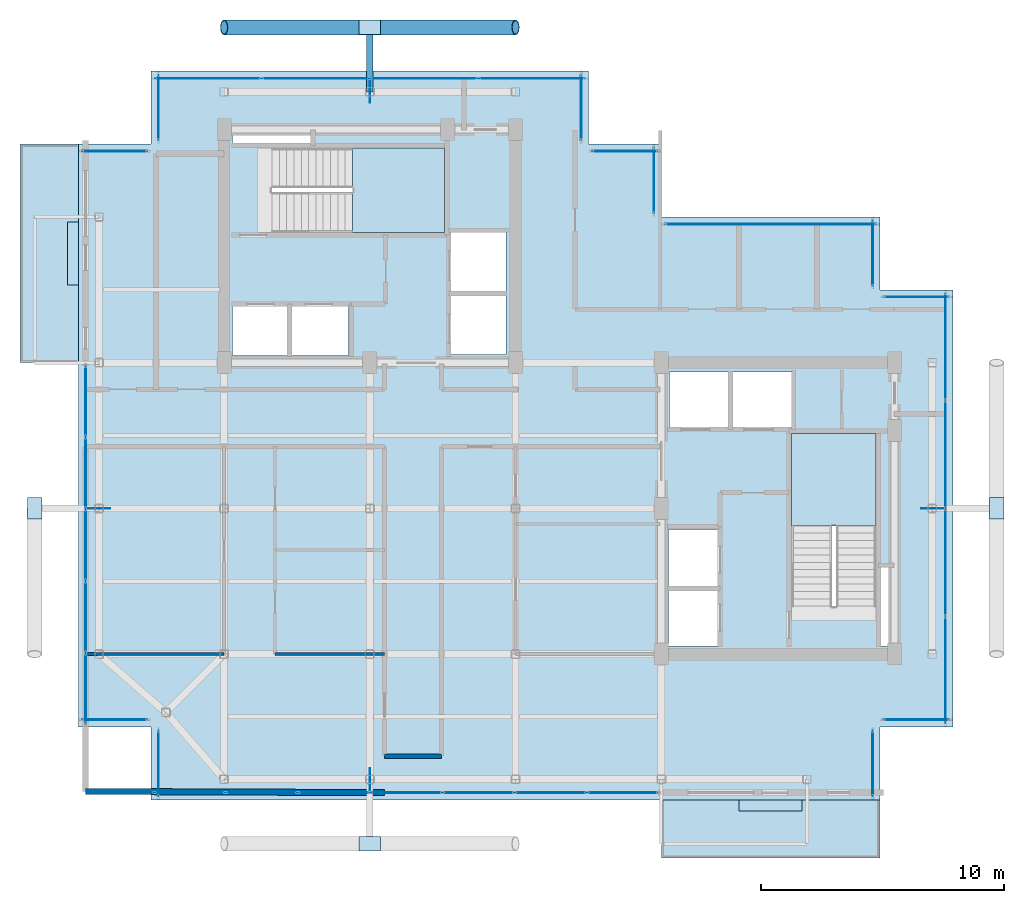
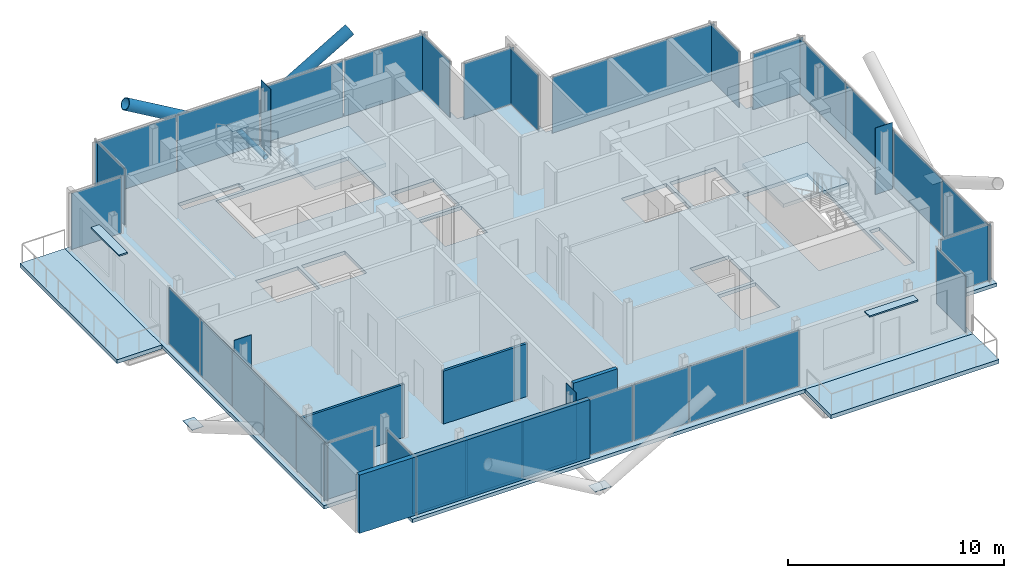
# One storey, part 13 of 18: 42 plates, 5 slabs, 4 walls, 3 members, 18 elements without a shape of their own.
"""IFC4 building model written with IfcOpenShell, lengths in metres."""

from ifc_helpers import new_model, si_unit, direction, frame, frame_2d, origin, origin_2d, place, context, subcontext, project, spatial, polyline, rectangle, hollow_circle, outline, extrude, material, layer, layer_set, material_profile, profile_set, type_object, element, aggregate, save


model = new_model("IFC4")

# Units and contexts
model_context = context("Model", 3, precision=1e-05, world=origin(), true_north=direction((0.0, 1.0)))
body_context = subcontext(model_context, "Body", "Model", "MODEL_VIEW")
ifc_project = project(units=[si_unit("LENGTHUNIT", "METRE"), si_unit("AREAUNIT", "SQUARE_METRE"), si_unit("VOLUMEUNIT", "CUBIC_METRE"), si_unit("PLANEANGLEUNIT", "RADIAN"), si_unit("MASSUNIT", "GRAM", prefix="KILO"), si_unit("THERMODYNAMICTEMPERATUREUNIT", "KELVIN"), si_unit("POWERUNIT", "WATT")], contexts=[model_context])

# Site, building, storey
site_placement = place(None, origin())
site = spatial("IfcSite", under=ifc_project, at=site_placement, CompositionType="ELEMENT")
building_placement = place(site_placement, origin())
building = spatial("IfcBuilding", under=site, at=building_placement, Name="Svarakhadi Broadcast Tower", CompositionType="ELEMENT")
storey_placement = place(building_placement, frame((0.0, 0.0, 246.699951171875)))
storey = spatial("IfcBuildingStorey", under=building, at=storey_placement, Name="L61", CompositionType="ELEMENT", Elevation=246.699951171875)

# Members
ifc_material_1 = material(Name="Steel S460ML (IS 2062 E450BR)", Category="steel")
ifc_material_profile_1 = material_profile(ifc_material_1, hollow_circle(Radius=0.304931640625, WallThickness=0.030029296875, at=origin_2d()), Name="CHS 610x30")
ifc_profile_set_1 = profile_set([ifc_material_profile_1], Name="Steel S460ML (IS 2062 E450BR)")
member_type_1 = type_object("IfcMemberType", Name="Exo_Brace_CHS610", PredefinedType="BRACE", material=ifc_profile_set_1)
for number, where, z_axis, x_axis, name in (
    (1, (12.0, 31.800048828125, -0.33642578125), (-0.863778900898, 0.0, 0.503871025524), (0.0, -1.0, 0.0), "L61 Exposed Bronze Exoskeleton Diagonal N06"),
    (2, (12.0, 31.800048828125, -0.33642578125), (0.863778900898, 0.0, 0.503871025524), (0.0, 1.0, 0.0), "L61 Exposed Bronze Exoskeleton Diagonal N07"),
):
    element("IfcMember", number, at=place(storey_placement, frame(where, z_axis=z_axis, x_axis=x_axis)), inside=storey, type_object=member_type_1, Name=name, PredefinedType="BRACE", context=body_context, shape_type="SweptSolid", body=[
        extrude(hollow_circle(Radius=0.304931640625, WallThickness=0.030029296875, at=origin_2d()), origin(), (0.0, 0.0, 1.0), 6.9462890625),
    ])
ifc_material_profile_2 = material_profile(ifc_material_1, hollow_circle(Radius=0.136474609375, WallThickness=0.012451171875, at=origin_2d()), Name="CHS 273x12.5")
ifc_profile_set_2 = profile_set([ifc_material_profile_2], Name="Steel S460ML (IS 2062 E450BR)")
member_type_2 = type_object("IfcMemberType", Name="Exo_Radial_Strut_Z3", PredefinedType="STRUT", material=ifc_profile_set_2)
member_placement = place(storey_placement, frame((12.0, 31.800048828125, -0.33642578125), z_axis=(0.0, -1.0, 0.0), x_axis=(1.0, 0.0, 0.0)))
element("IfcMember", 3, at=member_placement, inside=storey, type_object=member_type_2, Name="L61 Exoskeleton Radial Tie Strut N04", PredefinedType="STRUT", context=body_context, shape_type="SweptSolid", body=[
    extrude(hollow_circle(Radius=0.136474609375, WallThickness=0.012451171875, at=origin_2d()), origin(), (0.0, 0.0, 1.0), 2.650146484375),
])

# Curtain wall, plate
ifc_material_2 = material(Name="Anodised Bronze Aluminium AA 6063-T6", Category="aluminium")
ifc_layer_1 = layer(ifc_material_2, 0.179931640625)
ifc_layer_set_1 = layer_set([ifc_layer_1], Name="Anodised Bronze Aluminium AA 6063-T6")
curtain_wall_type = type_object("IfcCurtainWallType", Name="CW_Sys_05", PredefinedType="NOTDEFINED", material=ifc_layer_set_1)
curtain_wall_1_placement = place(storey_placement, origin())
curtain_wall_1 = element("IfcCurtainWall", 4, at=curtain_wall_1_placement, inside=storey, type_object=curtain_wall_type, Name="L61 Unitised Facade Curtain Wall 01", PredefinedType="NOTDEFINED")
ifc_material_3 = material(Name="Double Low-E Laminated Acoustic Glass IGU 36 mm", Category="glass")
ifc_layer_2 = layer(ifc_material_3, 0.033935546875)
ifc_layer_set_2 = layer_set([ifc_layer_2], Name="Double Low-E Laminated Acoustic Glass IGU 36 mm")
plate_type_1 = type_object("IfcPlateType", Name="CW_Sys_05_Pnl", PredefinedType="CURTAIN_PANEL", material=ifc_layer_set_2)
plate_1_placement = place(storey_placement, frame((1.5, 3.300048828125, 0.065185546875), z_axis=(0.0, 0.0, 1.0), x_axis=(-1.0, 0.0, 0.0)))
plate_1 = element("IfcPlate", 5, at=plate_1_placement, type_object=plate_type_1, Name="CW-05 panel 1.1", PredefinedType="CURTAIN_PANEL", context=body_context, shape_type="SweptSolid", body=[
    extrude(rectangle(XDim=2.679931640625, YDim=0.033935546875, at=origin_2d()), origin(), (0.0, 0.0, 1.0), 3.169921875),
])
aggregate(curtain_wall_1, [plate_1])

# Curtain wall, plates
curtain_wall_2_placement = place(storey_placement, origin())
curtain_wall_2 = element("IfcCurtainWall", 6, at=curtain_wall_2_placement, inside=storey, type_object=curtain_wall_type, Name="L61 West Curtain Wall 02", PredefinedType="NOTDEFINED")
plate_2_placement = place(storey_placement, frame((0.300048828125, 4.589599609375, 0.065185546875), z_axis=(0.0, 0.0, 1.0), x_axis=(0.0, 1.0, 0.0)))
plate_2 = element("IfcPlate", 7, at=plate_2_placement, type_object=plate_type_1, Name="CW-05 panel 1.1", PredefinedType="CURTAIN_PANEL", context=body_context, shape_type="SweptSolid", body=[
    extrude(rectangle(XDim=2.85888671875, YDim=0.033935546875, at=origin_2d()), origin(), (0.0, 0.0, 1.0), 3.169921875),
])
plate_3_placement = place(storey_placement, frame((0.300048828125, 7.535888671875, 0.065185546875), z_axis=(0.0, 0.0, 1.0), x_axis=(0.0, 1.0, 0.0)))
plate_3 = element("IfcPlate", 8, at=plate_3_placement, type_object=plate_type_1, Name="CW-05 panel 2.1", PredefinedType="CURTAIN_PANEL", context=body_context, shape_type="SweptSolid", body=[
    extrude(rectangle(XDim=2.89404296875, YDim=0.033935546875, at=origin_2d()), origin(), (0.0, 0.0, 1.0), 3.169921875),
])
plate_4_placement = place(storey_placement, frame((0.300048828125, 10.5, 0.065185546875), z_axis=(0.0, 0.0, 1.0), x_axis=(0.0, 1.0, 0.0)))
plate_4 = element("IfcPlate", 9, at=plate_4_placement, type_object=plate_type_1, Name="CW-05 panel 3.1", PredefinedType="CURTAIN_PANEL", context=body_context, shape_type="SweptSolid", body=[
    extrude(rectangle(XDim=2.89404296875, YDim=0.033935546875, at=origin_2d()), origin(), (0.0, 0.0, 1.0), 3.169921875),
])
plate_5_placement = place(storey_placement, frame((0.300048828125, 13.464111328125, 0.065185546875), z_axis=(0.0, 0.0, 1.0), x_axis=(0.0, 1.0, 0.0)))
plate_5 = element("IfcPlate", 10, at=plate_5_placement, type_object=plate_type_1, Name="CW-05 panel 4.1", PredefinedType="CURTAIN_PANEL", context=body_context, shape_type="SweptSolid", body=[
    extrude(rectangle(XDim=2.89404296875, YDim=0.033935546875, at=origin_2d()), origin(), (0.0, 0.0, 1.0), 3.169921875),
])
plate_6_placement = place(storey_placement, frame((0.300048828125, 16.410400390625, 0.065185546875), z_axis=(0.0, 0.0, 1.0), x_axis=(0.0, 1.0, 0.0)))
plate_6 = element("IfcPlate", 11, at=plate_6_placement, type_object=plate_type_1, Name="CW-05 panel 5.1", PredefinedType="CURTAIN_PANEL", context=body_context, shape_type="SweptSolid", body=[
    extrude(rectangle(XDim=2.85888671875, YDim=0.033935546875, at=origin_2d()), origin(), (0.0, 0.0, 1.0), 3.169921875),
])
aggregate(curtain_wall_2, [plate_2, plate_3, plate_4, plate_5, plate_6])

# Curtain wall, plate
curtain_wall_3_placement = place(storey_placement, origin())
curtain_wall_3 = element("IfcCurtainWall", 12, at=curtain_wall_3_placement, inside=storey, type_object=curtain_wall_type, Name="L61 Unitised Facade Curtain Wall 03", PredefinedType="NOTDEFINED")
plate_7_placement = place(storey_placement, frame((1.5, 26.699951171875, 0.065185546875), z_axis=(0.0, 0.0, 1.0), x_axis=(1.0, 0.0, 0.0)))
plate_7 = element("IfcPlate", 13, at=plate_7_placement, type_object=plate_type_1, Name="CW-05 panel 1.1", PredefinedType="CURTAIN_PANEL", context=body_context, shape_type="SweptSolid", body=[
    extrude(rectangle(XDim=2.679931640625, YDim=0.033935546875, at=origin_2d()), origin(), (0.0, 0.0, 1.0), 3.169921875),
])
aggregate(curtain_wall_3, [plate_7])

curtain_wall_4_placement = place(storey_placement, origin())
curtain_wall_4 = element("IfcCurtainWall", 14, at=curtain_wall_4_placement, inside=storey, type_object=curtain_wall_type, Name="L61 Unitised Facade Curtain Wall 04", PredefinedType="NOTDEFINED")
plate_8_placement = place(storey_placement, frame((3.300048828125, 28.5, 0.065185546875), z_axis=(0.0, 0.0, 1.0), x_axis=(0.0, 1.0, 0.0)))
plate_8 = element("IfcPlate", 15, at=plate_8_placement, type_object=plate_type_1, Name="CW-05 panel 1.1", PredefinedType="CURTAIN_PANEL", context=body_context, shape_type="SweptSolid", body=[
    extrude(rectangle(XDim=2.679931640625, YDim=0.033935546875, at=origin_2d()), origin(), (0.0, 0.0, 1.0), 3.169921875),
])
aggregate(curtain_wall_4, [plate_8])

# Curtain wall, plates
curtain_wall_5_placement = place(storey_placement, origin())
curtain_wall_5 = element("IfcCurtainWall", 16, at=curtain_wall_5_placement, inside=storey, type_object=curtain_wall_type, Name="L61 Unitised Facade Curtain Wall 05", PredefinedType="NOTDEFINED")
plate_9_placement = place(storey_placement, frame((5.3349609375, 29.699951171875, 0.065185546875), z_axis=(0.0, 0.0, 1.0), x_axis=(1.0, 0.0, 0.0)))
plate_9 = element("IfcPlate", 17, at=plate_9_placement, type_object=plate_type_1, Name="CW-05 panel 1.1", PredefinedType="CURTAIN_PANEL", context=body_context, shape_type="SweptSolid", body=[
    extrude(rectangle(XDim=4.35009765625, YDim=0.033935546875, at=origin_2d()), origin(), (0.0, 0.0, 1.0), 3.169921875),
])
plate_10_placement = place(storey_placement, frame((9.7724609375, 29.699951171875, 0.065185546875), z_axis=(0.0, 0.0, 1.0), x_axis=(1.0, 0.0, 0.0)))
plate_10 = element("IfcPlate", 18, at=plate_10_placement, type_object=plate_type_1, Name="CW-05 panel 2.1", PredefinedType="CURTAIN_PANEL", context=body_context, shape_type="SweptSolid", body=[
    extrude(rectangle(XDim=4.385009765625, YDim=0.033935546875, at=origin_2d()), origin(), (0.0, 0.0, 1.0), 3.169921875),
])
plate_11_placement = place(storey_placement, frame((14.2275390625, 29.699951171875, 0.065185546875), z_axis=(0.0, 0.0, 1.0), x_axis=(1.0, 0.0, 0.0)))
plate_11 = element("IfcPlate", 19, at=plate_11_placement, type_object=plate_type_1, Name="CW-05 panel 3.1", PredefinedType="CURTAIN_PANEL", context=body_context, shape_type="SweptSolid", body=[
    extrude(rectangle(XDim=4.385009765625, YDim=0.033935546875, at=origin_2d()), origin(), (0.0, 0.0, 1.0), 3.169921875),
])
plate_12_placement = place(storey_placement, frame((18.6650390625, 29.699951171875, 0.065185546875), z_axis=(0.0, 0.0, 1.0), x_axis=(1.0, 0.0, 0.0)))
plate_12 = element("IfcPlate", 20, at=plate_12_placement, type_object=plate_type_1, Name="CW-05 panel 4.1", PredefinedType="CURTAIN_PANEL", context=body_context, shape_type="SweptSolid", body=[
    extrude(rectangle(XDim=4.35009765625, YDim=0.033935546875, at=origin_2d()), origin(), (0.0, 0.0, 1.0), 3.169921875),
])
aggregate(curtain_wall_5, [plate_9, plate_10, plate_11, plate_12])

# Curtain wall, plate
curtain_wall_6_placement = place(storey_placement, origin())
curtain_wall_6 = element("IfcCurtainWall", 21, at=curtain_wall_6_placement, inside=storey, type_object=curtain_wall_type, Name="L61 Unitised Facade Curtain Wall 06", PredefinedType="NOTDEFINED")
plate_13_placement = place(storey_placement, frame((20.699951171875, 28.5, 0.065185546875), z_axis=(0.0, 0.0, 1.0), x_axis=(0.0, -1.0, 0.0)))
plate_13 = element("IfcPlate", 22, at=plate_13_placement, type_object=plate_type_1, Name="CW-05 panel 1.1", PredefinedType="CURTAIN_PANEL", context=body_context, shape_type="SweptSolid", body=[
    extrude(rectangle(XDim=2.679931640625, YDim=0.033935546875, at=origin_2d()), origin(), (0.0, 0.0, 1.0), 3.169921875),
])
aggregate(curtain_wall_6, [plate_13])

curtain_wall_7_placement = place(storey_placement, origin())
curtain_wall_7 = element("IfcCurtainWall", 23, at=curtain_wall_7_placement, inside=storey, type_object=curtain_wall_type, Name="L61 Unitised Facade Curtain Wall 07", PredefinedType="NOTDEFINED")
plate_14_placement = place(storey_placement, frame((22.5, 26.699951171875, 0.065185546875), z_axis=(0.0, 0.0, 1.0), x_axis=(1.0, 0.0, 0.0)))
plate_14 = element("IfcPlate", 24, at=plate_14_placement, type_object=plate_type_1, Name="CW-05 panel 1.1", PredefinedType="CURTAIN_PANEL", context=body_context, shape_type="SweptSolid", body=[
    extrude(rectangle(XDim=2.679931640625, YDim=0.033935546875, at=origin_2d()), origin(), (0.0, 0.0, 1.0), 3.169921875),
])
aggregate(curtain_wall_7, [plate_14])

curtain_wall_8_placement = place(storey_placement, origin())
curtain_wall_8 = element("IfcCurtainWall", 25, at=curtain_wall_8_placement, inside=storey, type_object=curtain_wall_type, Name="L61 Unitised Facade Curtain Wall 08", PredefinedType="NOTDEFINED")
plate_15_placement = place(storey_placement, frame((23.699951171875, 25.5, 0.065185546875), z_axis=(0.0, 0.0, 1.0), x_axis=(0.0, -1.0, 0.0)))
plate_15 = element("IfcPlate", 26, at=plate_15_placement, type_object=plate_type_1, Name="CW-05 panel 1.1", PredefinedType="CURTAIN_PANEL", context=body_context, shape_type="SweptSolid", body=[
    extrude(rectangle(XDim=2.679931640625, YDim=0.033935546875, at=origin_2d()), origin(), (0.0, 0.0, 1.0), 3.169921875),
])
aggregate(curtain_wall_8, [plate_15])

curtain_wall_9_placement = place(storey_placement, origin())
curtain_wall_9 = element("IfcCurtainWall", 27, at=curtain_wall_9_placement, inside=storey, type_object=curtain_wall_type, Name="L61 Unitised Facade Curtain Wall 09", PredefinedType="NOTDEFINED")
plate_16_placement = place(storey_placement, frame((28.5, 23.699951171875, 0.065185546875), z_axis=(0.0, 0.0, 1.0), x_axis=(1.0, 0.0, 0.0)))
plate_16 = element("IfcPlate", 28, at=plate_16_placement, type_object=plate_type_1, Name="CW-05 panel 1.1", PredefinedType="CURTAIN_PANEL", context=body_context, shape_type="SweptSolid", body=[
    extrude(rectangle(XDim=8.679931640625, YDim=0.033935546875, at=origin_2d()), origin(), (0.0, 0.0, 1.0), 3.169921875),
])
aggregate(curtain_wall_9, [plate_16])

curtain_wall_10_placement = place(storey_placement, origin())
curtain_wall_10 = element("IfcCurtainWall", 29, at=curtain_wall_10_placement, inside=storey, type_object=curtain_wall_type, Name="L61 Unitised Facade Curtain Wall 10", PredefinedType="NOTDEFINED")
plate_17_placement = place(storey_placement, frame((32.699951171875, 22.5, 0.065185546875), z_axis=(0.0, 0.0, 1.0), x_axis=(0.0, -1.0, 0.0)))
plate_17 = element("IfcPlate", 30, at=plate_17_placement, type_object=plate_type_1, Name="CW-05 panel 1.1", PredefinedType="CURTAIN_PANEL", context=body_context, shape_type="SweptSolid", body=[
    extrude(rectangle(XDim=2.679931640625, YDim=0.033935546875, at=origin_2d()), origin(), (0.0, 0.0, 1.0), 3.169921875),
])
aggregate(curtain_wall_10, [plate_17])

curtain_wall_11_placement = place(storey_placement, origin())
curtain_wall_11 = element("IfcCurtainWall", 31, at=curtain_wall_11_placement, inside=storey, type_object=curtain_wall_type, Name="L61 Unitised Facade Curtain Wall 11", PredefinedType="NOTDEFINED")
plate_18_placement = place(storey_placement, frame((34.5, 20.699951171875, 0.065185546875), z_axis=(0.0, 0.0, 1.0), x_axis=(1.0, 0.0, 0.0)))
plate_18 = element("IfcPlate", 32, at=plate_18_placement, type_object=plate_type_1, Name="CW-05 panel 1.1", PredefinedType="CURTAIN_PANEL", context=body_context, shape_type="SweptSolid", body=[
    extrude(rectangle(XDim=2.679931640625, YDim=0.033935546875, at=origin_2d()), origin(), (0.0, 0.0, 1.0), 3.169921875),
])
aggregate(curtain_wall_11, [plate_18])

# Curtain wall, plates
curtain_wall_12_placement = place(storey_placement, origin())
curtain_wall_12 = element("IfcCurtainWall", 33, at=curtain_wall_12_placement, inside=storey, type_object=curtain_wall_type, Name="L61 Unitised Facade Curtain Wall 12", PredefinedType="NOTDEFINED")
plate_19_placement = place(storey_placement, frame((35.699951171875, 18.6650390625, 0.065185546875), z_axis=(0.0, 0.0, 1.0), x_axis=(0.0, -1.0, 0.0)))
plate_19 = element("IfcPlate", 34, at=plate_19_placement, type_object=plate_type_1, Name="CW-05 panel 1.1", PredefinedType="CURTAIN_PANEL", context=body_context, shape_type="SweptSolid", body=[
    extrude(rectangle(XDim=4.35009765625, YDim=0.033935546875, at=origin_2d()), origin(), (0.0, 0.0, 1.0), 3.169921875),
])
plate_20_placement = place(storey_placement, frame((35.699951171875, 14.2275390625, 0.065185546875), z_axis=(0.0, 0.0, 1.0), x_axis=(0.0, -1.0, 0.0)))
plate_20 = element("IfcPlate", 35, at=plate_20_placement, type_object=plate_type_1, Name="CW-05 panel 2.1", PredefinedType="CURTAIN_PANEL", context=body_context, shape_type="SweptSolid", body=[
    extrude(rectangle(XDim=4.385009765625, YDim=0.033935546875, at=origin_2d()), origin(), (0.0, 0.0, 1.0), 3.169921875),
])
plate_21_placement = place(storey_placement, frame((35.699951171875, 9.7724609375, 0.065185546875), z_axis=(0.0, 0.0, 1.0), x_axis=(0.0, -1.0, 0.0)))
plate_21 = element("IfcPlate", 36, at=plate_21_placement, type_object=plate_type_1, Name="CW-05 panel 3.1", PredefinedType="CURTAIN_PANEL", context=body_context, shape_type="SweptSolid", body=[
    extrude(rectangle(XDim=4.385009765625, YDim=0.033935546875, at=origin_2d()), origin(), (0.0, 0.0, 1.0), 3.169921875),
])
plate_22_placement = place(storey_placement, frame((35.699951171875, 5.3349609375, 0.065185546875), z_axis=(0.0, 0.0, 1.0), x_axis=(0.0, -1.0, 0.0)))
plate_22 = element("IfcPlate", 37, at=plate_22_placement, type_object=plate_type_1, Name="CW-05 panel 4.1", PredefinedType="CURTAIN_PANEL", context=body_context, shape_type="SweptSolid", body=[
    extrude(rectangle(XDim=4.35009765625, YDim=0.033935546875, at=origin_2d()), origin(), (0.0, 0.0, 1.0), 3.169921875),
])
aggregate(curtain_wall_12, [plate_19, plate_20, plate_21, plate_22])

# Curtain wall, plate
curtain_wall_13_placement = place(storey_placement, origin())
curtain_wall_13 = element("IfcCurtainWall", 38, at=curtain_wall_13_placement, inside=storey, type_object=curtain_wall_type, Name="L61 Unitised Facade Curtain Wall 13", PredefinedType="NOTDEFINED")
plate_23_placement = place(storey_placement, frame((34.5, 3.300048828125, 0.065185546875), z_axis=(0.0, 0.0, 1.0), x_axis=(-1.0, 0.0, 0.0)))
plate_23 = element("IfcPlate", 39, at=plate_23_placement, type_object=plate_type_1, Name="CW-05 panel 1.1", PredefinedType="CURTAIN_PANEL", context=body_context, shape_type="SweptSolid", body=[
    extrude(rectangle(XDim=2.679931640625, YDim=0.033935546875, at=origin_2d()), origin(), (0.0, 0.0, 1.0), 3.169921875),
])
aggregate(curtain_wall_13, [plate_23])

curtain_wall_14_placement = place(storey_placement, origin())
curtain_wall_14 = element("IfcCurtainWall", 40, at=curtain_wall_14_placement, inside=storey, type_object=curtain_wall_type, Name="L61 Unitised Facade Curtain Wall 14", PredefinedType="NOTDEFINED")
plate_24_placement = place(storey_placement, frame((32.699951171875, 1.5, 0.065185546875), z_axis=(0.0, 0.0, 1.0), x_axis=(0.0, -1.0, 0.0)))
plate_24 = element("IfcPlate", 41, at=plate_24_placement, type_object=plate_type_1, Name="CW-05 panel 1.1", PredefinedType="CURTAIN_PANEL", context=body_context, shape_type="SweptSolid", body=[
    extrude(rectangle(XDim=2.679931640625, YDim=0.033935546875, at=origin_2d()), origin(), (0.0, 0.0, 1.0), 3.169921875),
])
aggregate(curtain_wall_14, [plate_24])

# Curtain wall, plates
curtain_wall_15_placement = place(storey_placement, origin())
curtain_wall_15 = element("IfcCurtainWall", 42, at=curtain_wall_15_placement, inside=storey, type_object=curtain_wall_type, Name="L61 South Curtain Wall 15", PredefinedType="NOTDEFINED")
plate_25_placement = place(storey_placement, frame((22.4052734375, 0.300048828125, 0.065185546875), z_axis=(0.0, 0.0, 1.0), x_axis=(-1.0, 0.0, 0.0)))
plate_25 = element("IfcPlate", 43, at=plate_25_placement, type_object=plate_type_1, Name="CW-05 panel 1.1", PredefinedType="CURTAIN_PANEL", context=body_context, shape_type="SweptSolid", body=[
    extrude(rectangle(XDim=2.869384765625, YDim=0.033935546875, at=origin_2d()), origin(), (0.0, 0.0, 1.0), 3.169921875),
])
plate_26_placement = place(storey_placement, frame((19.448486328125, 0.300048828125, 0.065185546875), z_axis=(0.0, 0.0, 1.0), x_axis=(-1.0, 0.0, 0.0)))
plate_26 = element("IfcPlate", 44, at=plate_26_placement, type_object=plate_type_1, Name="CW-05 panel 2.1", PredefinedType="CURTAIN_PANEL", context=body_context, shape_type="SweptSolid", body=[
    extrude(rectangle(XDim=2.904296875, YDim=0.033935546875, at=origin_2d()), origin(), (0.0, 0.0, 1.0), 3.169921875),
])
plate_27_placement = place(storey_placement, frame((16.474365234375, 0.300048828125, 0.065185546875), z_axis=(0.0, 0.0, 1.0), x_axis=(-1.0, 0.0, 0.0)))
plate_27 = element("IfcPlate", 45, at=plate_27_placement, type_object=plate_type_1, Name="CW-05 panel 3.1", PredefinedType="CURTAIN_PANEL", context=body_context, shape_type="SweptSolid", body=[
    extrude(rectangle(XDim=2.904296875, YDim=0.033935546875, at=origin_2d()), origin(), (0.0, 0.0, 1.0), 3.169921875),
])
plate_28_placement = place(storey_placement, frame((13.5, 0.300048828125, 0.065185546875), z_axis=(0.0, 0.0, 1.0), x_axis=(-1.0, 0.0, 0.0)))
plate_28 = element("IfcPlate", 46, at=plate_28_placement, type_object=plate_type_1, Name="CW-05 panel 4.1", PredefinedType="CURTAIN_PANEL", context=body_context, shape_type="SweptSolid", body=[
    extrude(rectangle(XDim=2.904296875, YDim=0.033935546875, at=origin_2d()), origin(), (0.0, 0.0, 1.0), 3.169921875),
])
plate_29_placement = place(storey_placement, frame((10.525634765625, 0.300048828125, 0.065185546875), z_axis=(0.0, 0.0, 1.0), x_axis=(-1.0, 0.0, 0.0)))
plate_29 = element("IfcPlate", 47, at=plate_29_placement, type_object=plate_type_1, Name="CW-05 panel 5.1", PredefinedType="CURTAIN_PANEL", context=body_context, shape_type="SweptSolid", body=[
    extrude(rectangle(XDim=2.904296875, YDim=0.033935546875, at=origin_2d()), origin(), (0.0, 0.0, 1.0), 3.169921875),
])
plate_30_placement = place(storey_placement, frame((7.551513671875, 0.300048828125, 0.065185546875), z_axis=(0.0, 0.0, 1.0), x_axis=(-1.0, 0.0, 0.0)))
plate_30 = element("IfcPlate", 48, at=plate_30_placement, type_object=plate_type_1, Name="CW-05 panel 6.1", PredefinedType="CURTAIN_PANEL", context=body_context, shape_type="SweptSolid", body=[
    extrude(rectangle(XDim=2.904296875, YDim=0.033935546875, at=origin_2d()), origin(), (0.0, 0.0, 1.0), 3.169921875),
])
plate_31_placement = place(storey_placement, frame((4.5947265625, 0.300048828125, 0.065185546875), z_axis=(0.0, 0.0, 1.0), x_axis=(-1.0, 0.0, 0.0)))
plate_31 = element("IfcPlate", 49, at=plate_31_placement, type_object=plate_type_1, Name="CW-05 panel 7.1", PredefinedType="CURTAIN_PANEL", context=body_context, shape_type="SweptSolid", body=[
    extrude(rectangle(XDim=2.869384765625, YDim=0.033935546875, at=origin_2d()), origin(), (0.0, 0.0, 1.0), 3.169921875),
])
aggregate(curtain_wall_15, [plate_25, plate_26, plate_27, plate_28, plate_29, plate_30, plate_31])

# Curtain wall, plate
curtain_wall_16_placement = place(storey_placement, origin())
curtain_wall_16 = element("IfcCurtainWall", 50, at=curtain_wall_16_placement, inside=storey, type_object=curtain_wall_type, Name="L61 Unitised Facade Curtain Wall 16", PredefinedType="NOTDEFINED")
plate_32_placement = place(storey_placement, frame((3.300048828125, 1.5, 0.065185546875), z_axis=(0.0, 0.0, 1.0), x_axis=(0.0, 1.0, 0.0)))
plate_32 = element("IfcPlate", 51, at=plate_32_placement, type_object=plate_type_1, Name="CW-05 panel 1.1", PredefinedType="CURTAIN_PANEL", context=body_context, shape_type="SweptSolid", body=[
    extrude(rectangle(XDim=2.679931640625, YDim=0.033935546875, at=origin_2d()), origin(), (0.0, 0.0, 1.0), 3.169921875),
])
aggregate(curtain_wall_16, [plate_32])

# Plates
ifc_layer_3 = layer(ifc_material_1, 0.02490234375)
ifc_layer_set_3 = layer_set([ifc_layer_3], Name="Steel S460ML (IS 2062 E450BR)")
plate_type_2 = type_object("IfcPlateType", Name="Node_Gusset_N05", PredefinedType="SHEET", material=ifc_layer_set_3)
for number, where, z_axis, x_axis, name in (
    (52, (12.0, -1.800048828125, -0.199951171875), (0.0, 0.0, 1.0), (1.0, 0.0, 0.0), "L61 Exoskeleton Gusset Node Plate S01"),
    (53, (-1.800048828125, 12.0, -0.199951171875), (0.0, 0.0, 1.0), (0.0, 1.0, 0.0), "L61 Exoskeleton Gusset Node Plate W02"),
    (54, (37.800048828125, 12.0, -0.199951171875), (0.0, 0.0, 1.0), (0.0, 1.0, 0.0), "L61 Exoskeleton Gusset Node Plate E03"),
    (55, (12.0, 31.800048828125, -0.199951171875), (0.0, 0.0, 1.0), (1.0, 0.0, 0.0), "L61 Exoskeleton Gusset Node Plate N04"),
):
    element("IfcPlate", number, at=place(storey_placement, frame(where, z_axis=z_axis, x_axis=x_axis)), inside=storey, type_object=plate_type_2, Name=name, PredefinedType="SHEET", context=body_context, shape_type="SweptSolid", body=[
        extrude(rectangle(XDim=0.8798828125, YDim=0.60009765625, at=origin_2d()), origin(), (0.0, 0.0, 1.0), 0.02490234375),
    ])
ifc_layer_4 = layer(ifc_material_1, 0.02587890625)
ifc_layer_set_4 = layer_set([ifc_layer_4], Name="Steel S460ML (IS 2062 E450BR)")
plate_type_3 = type_object("IfcPlateType", Name="Node_Gusset_N07", PredefinedType="SHEET", material=ifc_layer_set_4)
for number, where, z_axis, x_axis, name in (
    (56, (12.0, 0.85009765625, -0.53662109375), (0.0, 0.0, 1.0), (0.0, 1.0, 0.0), "L61 Brace End Connection Gusset Plate N-07-E0497"),
    (57, (0.85009765625, 12.0, -0.53662109375), (0.0, 0.0, 1.0), (1.0, 0.0, 0.0), "L61 Brace End Connection Gusset Plate N-07-E0498"),
    (58, (35.14990234375, 12.0, -0.53662109375), (0.0, 0.0, 1.0), (1.0, 0.0, 0.0), "L61 Brace End Connection Gusset Plate N-07-E0499"),
    (59, (12.0, 29.14990234375, -0.53662109375), (0.0, 0.0, 1.0), (0.0, 1.0, 0.0), "L61 Brace End Connection Gusset Plate N-07-E0500"),
):
    element("IfcPlate", number, at=place(storey_placement, frame(where, z_axis=z_axis, x_axis=x_axis)), inside=storey, type_object=plate_type_3, Name=name, PredefinedType="SHEET", context=body_context, shape_type="SweptSolid", body=[
        extrude(rectangle(XDim=0.919921875, YDim=0.02587890625, at=origin_2d()), origin(), (0.0, 0.0, 1.0), 4.300048828125),
    ])

# Slab
ifc_material_4 = material(Name="Concrete C40/50 (IS 456 M50)", Category="concrete")
ifc_layer_5 = layer(ifc_material_4, 0.199951171875)
ifc_layer_set_5 = layer_set([ifc_layer_5], Name="Concrete C40/50 (IS 456 M50)")
slab_type_1 = type_object("IfcSlabType", Name="Slab_Floor_200", PredefinedType="FLOOR", material=ifc_layer_set_5)
slab_1_placement = place(storey_placement, frame((0.0, 0.0, -0.199951171875)))
element("IfcSlab", 60, at=slab_1_placement, inside=storey, type_object=slab_type_1, Name="L61 Structural Floor Slab", PredefinedType="FLOOR", context=body_context, shape_type="SweptSolid", body=[
    extrude(outline(polyline([(3.0, 0.0), (33.0, 0.0), (33.0, 3.0), (36.0, 3.0), (36.0, 21.0), (33.0, 21.0), (33.0, 24.0), (24.0, 24.0), (24.0, 27.0), (21.0, 27.0), (21.0, 30.0), (3.0, 30.0), (3.0, 27.0), (0.0, 27.0), (0.0, 3.0), (3.0, 3.0), (3.0, 0.0)]), holes=[polyline([(7.97998046875, 23.360107421875), (15.080078125, 23.360107421875), (15.080078125, 26.840087890625), (7.97998046875, 26.840087890625), (7.97998046875, 23.360107421875)]), polyline([(32.840087890625, 7.97998046875), (32.840087890625, 15.080078125), (29.360107421875, 15.080078125), (29.360107421875, 7.97998046875), (32.840087890625, 7.97998046875)]), polyline([(6.340087890625, 18.2900390625), (8.610107421875, 18.2900390625), (8.610107421875, 20.330078125), (6.340087890625, 20.330078125), (6.340087890625, 18.2900390625)]), polyline([(8.7900390625, 18.2900390625), (11.1298828125, 18.2900390625), (11.1298828125, 20.330078125), (8.7900390625, 20.330078125), (8.7900390625, 18.2900390625)]), polyline([(24.2900390625, 6.340087890625), (26.330078125, 6.340087890625), (26.330078125, 8.610107421875), (24.2900390625, 8.610107421875), (24.2900390625, 6.340087890625)]), polyline([(24.2900390625, 8.7900390625), (26.330078125, 8.7900390625), (26.330078125, 11.1298828125), (24.2900390625, 11.1298828125), (24.2900390625, 8.7900390625)]), polyline([(6.340087890625, 26.989990234375), (9.610107421875, 26.989990234375), (9.610107421875, 27.530029296875), (6.340087890625, 27.530029296875), (6.340087890625, 26.989990234375)]), polyline([(32.989990234375, 6.340087890625), (33.530029296875, 6.340087890625), (33.530029296875, 9.610107421875), (32.989990234375, 9.610107421875), (32.989990234375, 6.340087890625)]), polyline([(15.340087890625, 18.340087890625), (17.610107421875, 18.340087890625), (17.610107421875, 20.760009765625), (15.340087890625, 20.760009765625), (15.340087890625, 18.340087890625)]), polyline([(15.340087890625, 20.93994140625), (17.610107421875, 20.93994140625), (17.610107421875, 23.360107421875), (15.340087890625, 23.360107421875), (15.340087890625, 20.93994140625)]), polyline([(24.340087890625, 15.340087890625), (26.760009765625, 15.340087890625), (26.760009765625, 17.610107421875), (24.340087890625, 17.610107421875), (24.340087890625, 15.340087890625)]), polyline([(26.93994140625, 15.340087890625), (29.360107421875, 15.340087890625), (29.360107421875, 17.610107421875), (26.93994140625, 17.610107421875), (26.93994140625, 15.340087890625)])]), origin(), (0.0, 0.0, 1.0), 0.199951171875),
])

# Stair, slab
stair_type = type_object("IfcStairType", Name="Stair_Exit_Core", PredefinedType="HALF_TURN_STAIR", material=ifc_material_4)
stair_1_placement = place(storey_placement, origin())
stair_1 = element("IfcStair", 61, at=stair_1_placement, inside=storey, type_object=stair_type, Name="L61 West Core Protected Exit Stair ST-01", PredefinedType="HALF_TURN_STAIR")
ifc_layer_6 = layer(ifc_material_4, 0.199951171875)
ifc_layer_set_6 = layer_set([ifc_layer_6], Name="Concrete C40/50 (IS 456 M50)")
slab_type_2 = type_object("IfcSlabType", Name="Slab_Stair_Land", PredefinedType="LANDING", material=ifc_layer_set_6)
slab_2_placement = place(storey_placement, frame((0.0, 0.0, 1.550048828125)))
slab_2 = element("IfcSlab", 62, at=slab_2_placement, type_object=slab_type_2, Name="ST-01 landing 1", PredefinedType="LANDING", context=body_context, shape_type="SweptSolid", body=[
    extrude(outline(polyline([(11.280029296875, 23.360107421875), (15.080078125, 23.360107421875), (15.080078125, 26.840087890625), (11.280029296875, 26.840087890625), (11.280029296875, 23.360107421875)])), origin(), (0.0, 0.0, 1.0), 0.199951171875),
])
aggregate(stair_1, [slab_2])

stair_2_placement = place(storey_placement, origin())
stair_2 = element("IfcStair", 63, at=stair_2_placement, inside=storey, type_object=stair_type, Name="L61 East Core Protected Exit Stair ST-02", PredefinedType="HALF_TURN_STAIR")
slab_3_placement = place(storey_placement, frame((0.0, 0.0, 1.550048828125)))
slab_3 = element("IfcSlab", 64, at=slab_3_placement, type_object=slab_type_2, Name="ST-02 landing 1", PredefinedType="LANDING", context=body_context, shape_type="SweptSolid", body=[
    extrude(outline(polyline([(32.840087890625, 11.280029296875), (32.840087890625, 15.080078125), (29.360107421875, 15.080078125), (29.360107421875, 11.280029296875), (32.840087890625, 11.280029296875)])), origin(), (0.0, 0.0, 1.0), 0.199951171875),
])
aggregate(stair_2, [slab_3])

# Slabs
ifc_layer_7 = layer(ifc_material_4, 0.22509765625)
ifc_layer_set_7 = layer_set([ifc_layer_7], Name="Concrete C40/50 (IS 456 M50)")
slab_type_3 = type_object("IfcSlabType", Name="Slab_TreeBalcony", PredefinedType="FLOOR", material=ifc_layer_set_7)
slab_4_placement = place(storey_placement, frame((0.0, 0.0, -0.224853515625)))
element("IfcSlab", 65, at=slab_4_placement, inside=storey, type_object=slab_type_3, Name="L61 Planted Tree Balcony Slab BAL-E", PredefinedType="FLOOR", context=body_context, shape_type="SweptSolid", body=[
    extrude(outline(polyline([(24.0, -2.39990234375), (33.0, -2.39990234375), (33.0, 0.0), (24.0, 0.0), (24.0, -2.39990234375)])), origin(), (0.0, 0.0, 1.0), 0.224853515625),
])
slab_5_placement = place(storey_placement, frame((0.0, 0.0, -0.224853515625)))
element("IfcSlab", 66, at=slab_5_placement, inside=storey, type_object=slab_type_3, Name="L61 Planted Tree Balcony Slab BAL-N", PredefinedType="FLOOR", context=body_context, shape_type="SweptSolid", body=[
    extrude(outline(polyline([(-2.39990234375, 18.0), (0.0, 18.0), (0.0, 27.0), (-2.39990234375, 27.0), (-2.39990234375, 18.0)])), origin(), (0.0, 0.0, 1.0), 0.224853515625),
])

# Plates
ifc_layer_8 = layer(ifc_material_2, 0.080078125)
ifc_layer_set_8 = layer_set([ifc_layer_8], Name="Anodised Bronze Aluminium AA 6063-T6")
plate_type_4 = type_object("IfcPlateType", Name="Sunshade_Fin_SS01", PredefinedType="USERDEFINED", material=ifc_layer_set_8)
for number, where, z_axis, x_axis, name in (
    (67, (28.5, -0.22509765625, 3.219970703125), (0.0, 0.0, 1.0), (1.0, 0.0, 0.0), "L61 South Bronze Brise-Soleil Sunshade SS-01"),
    (68, (-0.22509765625, 22.5, 3.219970703125), (0.0, 0.0, 1.0), (0.0, 1.0, 0.0), "L61 West Bronze Brise-Soleil Sunshade SS-01"),
):
    element("IfcPlate", number, at=place(storey_placement, frame(where, z_axis=z_axis, x_axis=x_axis)), inside=storey, type_object=plate_type_4, Name=name, ObjectType="SUNSHADE", PredefinedType="USERDEFINED", context=body_context, shape_type="SweptSolid", body=[
        extrude(rectangle(XDim=2.60009765625, YDim=0.449951171875, at=origin_2d()), origin(), (0.0, 0.0, 1.0), 0.080078125),
    ])

# Walls
ifc_material_5 = material(Name="Double-Stud Acoustic Studio Partition STC-62", Category="gypsum")
ifc_layer_9 = layer(ifc_material_5, 0.199951171875)
ifc_layer_set_9 = layer_set([ifc_layer_9], Name="Double-Stud Acoustic Studio Partition STC-62")
wall_type_1 = type_object("IfcWallType", Name="Wall_Acoust_200", PredefinedType="PARTITIONING", material=ifc_layer_set_9)
wall_1_placement = place(storey_placement, frame((14.949951171875, 1.800048828125, 0.0), z_axis=(0.0, 0.0, 1.0), x_axis=(-1.0, 0.0, 0.0)))
element("IfcWall", 69, at=wall_1_placement, inside=storey, type_object=wall_type_1, Name="L61 Upper Tower Concourse Wall", PredefinedType="PARTITIONING", context=body_context, shape_type="SweptSolid", body=[
    extrude(rectangle(XDim=2.349853515625, YDim=0.199951171875, at=frame_2d((1.1748046875, 0.0))), origin(), (0.0, 0.0, 1.0), 3.300048828125),
])
ifc_layer_10 = layer(ifc_material_5, 0.25)
ifc_layer_set_10 = layer_set([ifc_layer_10], Name="Double-Stud Acoustic Studio Partition STC-62")
wall_type_2 = type_object("IfcWallType", Name="Wall_Acoust_250", PredefinedType="PARTITIONING", material=ifc_layer_set_10)
wall_2_placement = place(storey_placement, frame((0.300048828125, 0.35009765625, 0.0), z_axis=(0.0, 0.0, 1.0), x_axis=(0.999991721746, -0.00406896058, 0.0)))
element("IfcWall", 70, at=wall_2_placement, inside=storey, type_object=wall_type_2, Name="L61 Apartment A Wall", PredefinedType="PARTITIONING", context=body_context, shape_type="SweptSolid", body=[
    extrude(rectangle(XDim=12.300048828125, YDim=0.25, at=frame_2d((6.14990234375, 0.0))), origin(), (0.0, 0.0, 1.0), 3.300048828125),
])
ifc_material_6 = material(Name="Fire-Rated Moisture-Resistant Gypsum Board Partition", Category="gypsum")
ifc_layer_11 = layer(ifc_material_6, 0.125)
ifc_layer_set_11 = layer_set([ifc_layer_11], Name="Fire-Rated Moisture-Resistant Gypsum Board Partition")
wall_type_3 = type_object("IfcWallType", Name="Wall_Part_125", PredefinedType="PARTITIONING", material=ifc_layer_set_11)
wall_3_placement = place(storey_placement, frame((8.10009765625, 6.0, 0.0), z_axis=(0.0, 0.0, 1.0), x_axis=(1.0, 0.0, 0.0)))
element("IfcWall", 71, at=wall_3_placement, inside=storey, type_object=wall_type_3, Name="L61 Apartment A Kitchen Wall", PredefinedType="PARTITIONING", context=body_context, shape_type="SweptSolid", body=[
    extrude(rectangle(XDim=4.5, YDim=0.125, at=frame_2d((2.25, 0.0))), origin(), (0.0, 0.0, 1.0), 2.991943359375),
])
wall_4_placement = place(storey_placement, frame((0.300048828125, 6.0, 0.0), z_axis=(0.0, 0.0, 1.0), x_axis=(1.0, 0.0, 0.0)))
element("IfcWall", 72, at=wall_4_placement, inside=storey, type_object=wall_type_3, Name="L61 Apartment A Primary Bedroom Wall", PredefinedType="PARTITIONING", context=body_context, shape_type="SweptSolid", body=[
    extrude(rectangle(XDim=5.699951171875, YDim=0.125, at=frame_2d((2.85009765625, 0.0))), origin(), (0.0, 0.0, 1.0), 2.991943359375),
])

save(model, "model.ifc")
